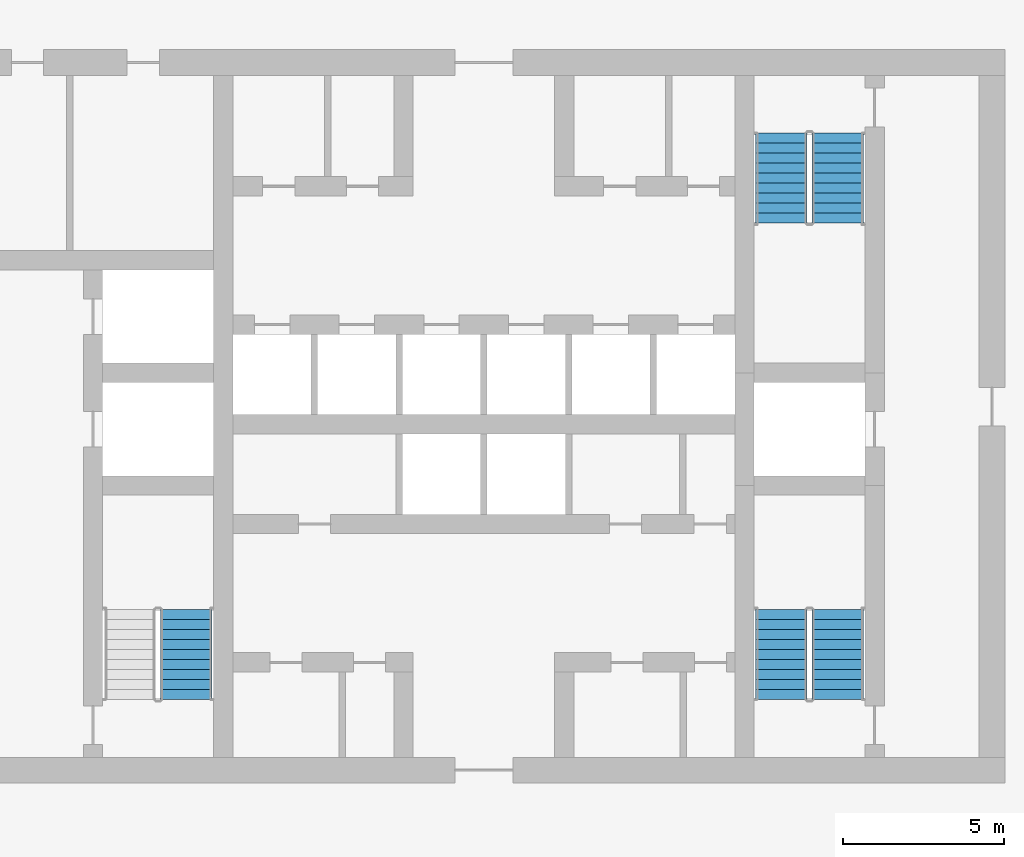
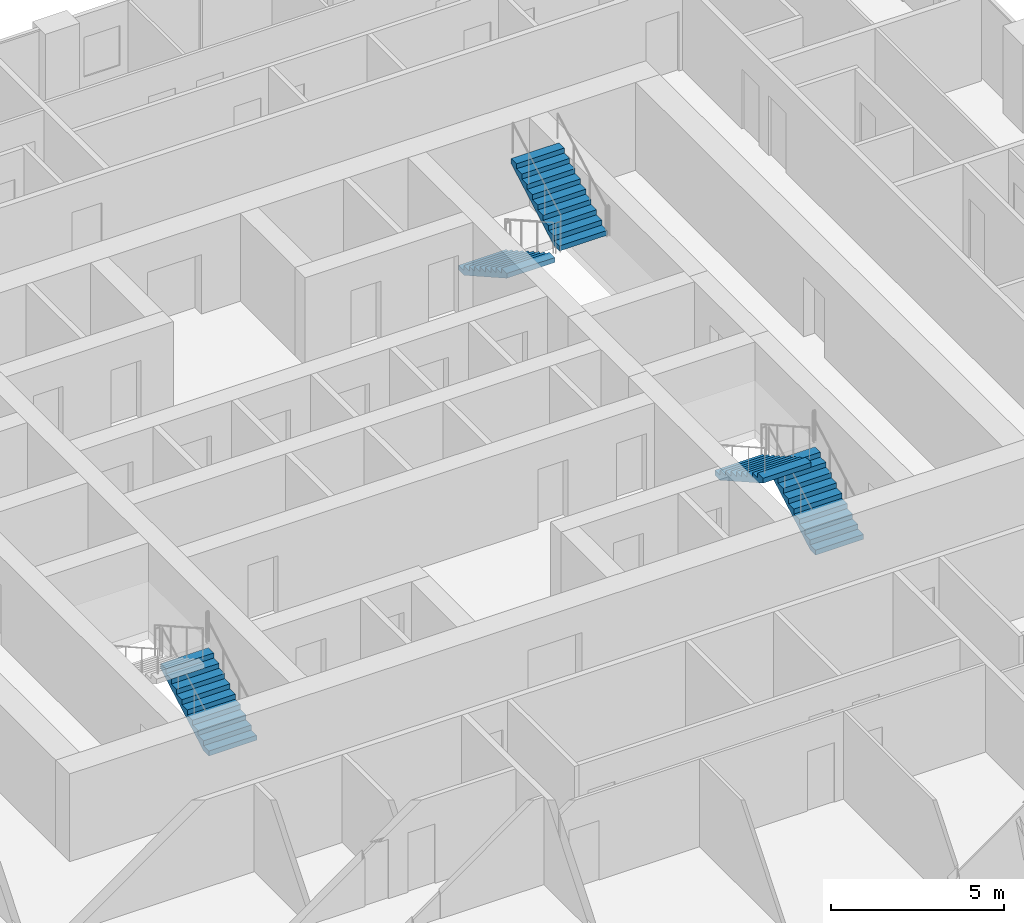
# One storey, part 16 of 22: 5 stair flights, 3 elements without a shape of their own.
"""IFC4 building model written with IfcOpenShell, lengths in metres."""

import ifcopenshell
import ifcopenshell.guid

model = None  # the IFC model being written
_history = None  # IfcOwnerHistory: only IFC2X3 demands one
_inside = {}  # id of a spatial element -> (the spatial element, [elements in it])
_under = {}  # id of a project, library or spatial element -> (it, [spatial elements below it])
_declared = {}  # id of a project -> (the project, [libraries it declares])
_typed = {}  # id of a type object -> (the type object, [elements of that type])
_made_of = {}  # id of a material, layer set ... -> (it, [elements and type objects made of it])


def new_model(schema):
    """Start an empty IFC model of exactly this schema.

    Asked for "IFC4X3", IfcOpenShell would pick the latest addendum, in which some entities
    have other attributes; the version numbers below select the first issue.
    IFC2X3 requires an IfcOwnerHistory on every rooted entity: one is made here for all.
    """
    global model, _history
    if schema == "IFC4X3":
        model = ifcopenshell.file(schema_version=(4, 3, 0, 0))
    else:
        model = ifcopenshell.file(schema=schema)
    _inside.clear()
    _under.clear()
    _declared.clear()
    _typed.clear()
    _made_of.clear()
    _history = None
    if model.schema == "IFC2X3":
        org = make("IfcOrganization", Name="unknown")
        user = make(
            "IfcPersonAndOrganization",
            ThePerson=make("IfcPerson", FamilyName="unknown"),
            TheOrganization=org,
        )
        app = make(
            "IfcApplication",
            ApplicationDeveloper=org,
            Version="unknown",
            ApplicationFullName="unknown",
            ApplicationIdentifier="unknown",
        )
        _history = make(
            "IfcOwnerHistory",
            OwningUser=user,
            OwningApplication=app,
            ChangeAction="ADDED",
            CreationDate=0,
        )
    return model


def make(cls, **values):
    """One entity of the class cls with the attributes given. An attribute that is None is left unset."""
    return model.create_entity(
        cls, **{name: value for name, value in values.items() if value is not None}
    )


def rooted(cls, **values):
    """An entity with a GlobalId (a new one), such as an element, a storey or a relation."""
    return make(cls, GlobalId=ifcopenshell.guid.new(), OwnerHistory=_history, **values)


def si_unit(unit_type, name, prefix=None):
    """IfcSIUnit, for example si_unit("LENGTHUNIT", "METRE", prefix="MILLI")."""
    return make("IfcSIUnit", UnitType=unit_type, Prefix=prefix, Name=name)


def assignment(units):
    """IfcUnitAssignment: the units of a project."""
    return None if units is None else make("IfcUnitAssignment", Units=units)


def point(xyz):
    """IfcCartesianPoint."""
    return None if xyz is None else make("IfcCartesianPoint", Coordinates=xyz)


def direction(xyz):
    """IfcDirection."""
    return None if xyz is None else make("IfcDirection", DirectionRatios=xyz)


def frame(location, z_axis=None, x_axis=None):
    """IfcAxis2Placement3D, a coordinate frame: its origin and axes. An axis left out is left unset."""
    return make(
        "IfcAxis2Placement3D",
        Location=point(location),
        Axis=direction(z_axis),
        RefDirection=direction(x_axis),
    )


def origin():
    """The frame at (0, 0, 0) with its axes left unset."""
    return frame((0.0, 0.0, 0.0))


def place(relative_to, where):
    """IfcLocalPlacement: puts the frame where relative to a parent placement (None: the world)."""
    return make(
        "IfcLocalPlacement", PlacementRelTo=relative_to, RelativePlacement=where
    )


def context(
    kind, dimensions, precision=None, world=None, true_north=None, identifier=None
):
    """IfcGeometricRepresentationContext, for example the 3D "Model" context."""
    return make(
        "IfcGeometricRepresentationContext",
        ContextIdentifier=identifier,
        ContextType=kind,
        CoordinateSpaceDimension=dimensions,
        Precision=precision,
        WorldCoordinateSystem=world,
        TrueNorth=true_north,
    )


def subcontext(parent, identifier, kind, view, scale=None):
    """IfcGeometricRepresentationSubContext, for example "Body" below "Model"."""
    return make(
        "IfcGeometricRepresentationSubContext",
        ContextIdentifier=identifier,
        ContextType=kind,
        ParentContext=parent,
        TargetScale=scale,
        TargetView=view,
    )


def project(units=None, contexts=None):
    """IfcProject with its units and contexts."""
    return rooted(
        "IfcProject",
        Name="project",
        RepresentationContexts=contexts,
        UnitsInContext=assignment(units),
    )


def spatial(cls, under=None, at=None, **own):
    """A site, building, storey or space (cls), placed at a placement, below another one or the project."""
    s = rooted(cls, ObjectPlacement=at, **own)
    if under is not None:
        _under.setdefault(under.id(), (under, []))[1].append(s)
    return s


def polyline(points):
    """IfcPolyline through the points."""
    return make("IfcPolyline", Points=[point(p) for p in points])


def outline(outer, holes=None, kind="AREA"):
    """IfcArbitraryClosedProfileDef: a profile drawn as a closed curve; with holes, ...WithVoids."""
    if holes is None:
        return make("IfcArbitraryClosedProfileDef", ProfileType=kind, OuterCurve=outer)
    return make(
        "IfcArbitraryProfileDefWithVoids",
        ProfileType=kind,
        OuterCurve=outer,
        InnerCurves=holes,
    )


def extrude(swept, where, along, depth):
    """IfcExtrudedAreaSolid: the profile swept, set in the frame where, extruded along a direction by depth."""
    return make(
        "IfcExtrudedAreaSolid",
        SweptArea=swept,
        Position=where,
        ExtrudedDirection=direction(along),
        Depth=depth,
    )


def shape(context_of_items, identifier, shape_type, items):
    """IfcShapeRepresentation: the items that make up one representation, for example the "Body"."""
    return make(
        "IfcShapeRepresentation",
        ContextOfItems=context_of_items,
        RepresentationIdentifier=identifier,
        RepresentationType=shape_type,
        Items=items,
    )


def material(Name=None, Category=None):
    """IfcMaterial."""
    return make("IfcMaterial", Name=Name, Category=Category)


def made_of(thing, what):
    """Note that an element or type object is made of a material, layer set ...; save() writes the relation."""
    if what is not None:
        _made_of.setdefault(what.id(), (what, []))[1].append(thing)
    return thing


def type_object(cls, material=None, **own):
    """A type object (cls), such as IfcWallType, which elements share."""
    return made_of(rooted(cls, **own), material)


def element(
    cls,
    number,
    at=None,
    inside=None,
    cuts=None,
    type_object=None,
    material=None,
    context=None,
    identifier="Body",
    shape_type=None,
    held_by="IfcProductDefinitionShape",
    body=None,
    shapes=None,
    **own,
):
    """One element of the class cls, such as IfcWall. Its Tag is "e" and its number.

    at: its placement. inside: the storey or other place that contains it. cuts: it is an
    opening in that element (IfcRelVoidsElement). A single representation is given by context,
    identifier, shape_type and body (its items); several are given by shapes. held_by: the class
    of the entity that holds the representations. save() writes the other relations.
    """
    e = rooted(cls, Tag="e%d" % number, ObjectPlacement=at, **own)
    if body is not None:
        shapes = [shape(context, identifier, shape_type, body)]
    if shapes is not None:
        e.Representation = make(held_by, Representations=shapes)
    if inside is not None:
        _inside.setdefault(inside.id(), (inside, []))[1].append(e)
    if cuts is not None:
        rooted(
            "IfcRelVoidsElement", RelatingBuildingElement=cuts, RelatedOpeningElement=e
        )
    if type_object is not None:
        _typed.setdefault(type_object.id(), (type_object, []))[1].append(e)
    return made_of(e, material)


def aggregate(whole, parts):
    """IfcRelAggregates: a whole, such as a stair, and the parts it consists of."""
    return rooted("IfcRelAggregates", RelatingObject=whole, RelatedObjects=parts)


def save(model, path):
    """Write the relations noted so far, then the file.

    IfcRelAggregates (storeys below a building ...), IfcRelContainedInSpatialStructure (elements
    in a storey), IfcRelDefinesByType, IfcRelAssociatesMaterial and IfcRelDeclares: one each for
    every whole, place, type object, material and project.
    """
    for whole, parts in _under.values():
        aggregate(whole, parts)
    for where, things in _inside.values():
        rooted(
            "IfcRelContainedInSpatialStructure",
            RelatedElements=things,
            RelatingStructure=where,
        )
    for kind, things in _typed.values():
        rooted("IfcRelDefinesByType", RelatedObjects=things, RelatingType=kind)
    for what, things in _made_of.values():
        rooted("IfcRelAssociatesMaterial", RelatedObjects=things, RelatingMaterial=what)
    for by, libraries in _declared.values():
        rooted("IfcRelDeclares", RelatingContext=by, RelatedDefinitions=libraries)
    model.write(path)


model = new_model("IFC4")

# Units and contexts
model_context = context("Model", 3, precision=1e-05, world=origin(), true_north=direction((0.0, 1.0)))
body_context = subcontext(model_context, "Body", "Model", "MODEL_VIEW")
ifc_project = project(units=[si_unit("LENGTHUNIT", "METRE"), si_unit("AREAUNIT", "SQUARE_METRE"), si_unit("VOLUMEUNIT", "CUBIC_METRE"), si_unit("PLANEANGLEUNIT", "RADIAN"), si_unit("MASSUNIT", "GRAM", prefix="KILO")], contexts=[model_context])

# Site, building, storey
site_placement = place(None, origin())
site = spatial("IfcSite", under=ifc_project, at=site_placement, CompositionType="ELEMENT")
building_placement = place(site_placement, origin())
building = spatial("IfcBuilding", under=site, at=building_placement, Name="Madar Terraces", CompositionType="ELEMENT")
storey_placement = place(building_placement, frame((0.0, 0.0, 170.0)))
storey = spatial("IfcBuildingStorey", under=building, at=storey_placement, Name="L44", CompositionType="ELEMENT", Elevation=170.0)

# Stair, stair flight
ifc_material_1 = material(Name="Concrete C50/60", Category="concrete")
stair_type_1 = type_object("IfcStairType", Name="Stair ST1 protected exit", PredefinedType="HALF_TURN_STAIR", material=ifc_material_1)
stair_1_placement = place(storey_placement, origin())
stair_1 = element("IfcStair", 1, at=stair_1_placement, inside=storey, type_object=stair_type_1, Name="L44 Protected Exit Stair ST1", PredefinedType="HALF_TURN_STAIR")
ifc_material_2 = material(Name="Concrete C50/60", Category="concrete")
stair_flight_type_1 = type_object("IfcStairFlightType", Name="Stair flight ST1-F4, 1600 wide, 10 risers", PredefinedType="STRAIGHT", material=ifc_material_2)
stair_flight_1_placement = place(storey_placement, frame((21.949951171875, 17.60009765625, 0.0), z_axis=(0.0, 0.0, 1.0), x_axis=(0.0, 1.0, 0.0)))
stair_flight_1 = element("IfcStairFlight", 2, at=stair_flight_1_placement, type_object=stair_flight_type_1, Name="ST1 flight 1", NumberOfRisers=10, NumberOfTreads=9, PredefinedType="STRAIGHT", RiserHeight=0.175, TreadLength=0.31, context=body_context, shape_type="SweptSolid", body=[
    extrude(outline(polyline([(0.0, 0.0), (0.0, 0.175048828125), (0.31005859375, 0.175048828125), (0.31005859375, 0.35009765625), (0.6201171875, 0.35009765625), (0.6201171875, 0.52490234375), (0.929931640625, 0.52490234375), (0.929931640625, 0.699951171875), (1.239990234375, 0.699951171875), (1.239990234375, 0.875), (1.550048828125, 0.875), (1.550048828125, 1.050048828125), (1.860107421875, 1.050048828125), (1.860107421875, 1.22509765625), (2.169921875, 1.22509765625), (2.169921875, 1.39990234375), (2.47998046875, 1.39990234375), (2.47998046875, 1.574951171875), (2.7900390625, 1.574951171875), (2.7900390625, 1.75), (2.7900390625, 1.40283203125), (0.304931640625, 0.0), (0.0, 0.0)])), frame((0.0, 0.800048828125, 0.0), z_axis=(0.0, -1.0, 0.0), x_axis=(1.0, 0.0, 0.0)), (0.0, 0.0, 1.0), 1.60009765625),
])
aggregate(stair_1, [stair_flight_1])

# Stair, stair flights
ifc_material_3 = material(Name="Concrete C50/60", Category="concrete")
stair_type_2 = type_object("IfcStairType", Name="Stair ST2 protected exit", PredefinedType="HALF_TURN_STAIR", material=ifc_material_3)
stair_2_placement = place(storey_placement, origin())
stair_2 = element("IfcStair", 3, at=stair_2_placement, inside=storey, type_object=stair_type_2, Name="L44 Protected Exit Stair ST2", PredefinedType="HALF_TURN_STAIR")
ifc_material_4 = material(Name="Concrete C50/60", Category="concrete")
stair_flight_type_2 = type_object("IfcStairFlightType", Name="Stair flight ST2-F4, 1600 wide, 10 risers", PredefinedType="STRAIGHT", material=ifc_material_4)
stair_flight_2_placement = place(storey_placement, frame((40.449951171875, 35.199951171875, 0.0), z_axis=(0.0, 0.0, 1.0), x_axis=(0.0, -1.0, 0.0)))
stair_flight_2 = element("IfcStairFlight", 4, at=stair_flight_2_placement, type_object=stair_flight_type_2, Name="ST2 flight 1", NumberOfRisers=10, NumberOfTreads=9, PredefinedType="STRAIGHT", RiserHeight=0.175, TreadLength=0.31, context=body_context, shape_type="SweptSolid", body=[
    extrude(outline(polyline([(0.0, 0.0), (0.0, 0.175048828125), (0.31005859375, 0.175048828125), (0.31005859375, 0.35009765625), (0.6201171875, 0.35009765625), (0.6201171875, 0.52490234375), (0.929931640625, 0.52490234375), (0.929931640625, 0.699951171875), (1.239990234375, 0.699951171875), (1.239990234375, 0.875), (1.550048828125, 0.875), (1.550048828125, 1.050048828125), (1.860107421875, 1.050048828125), (1.860107421875, 1.22509765625), (2.169921875, 1.22509765625), (2.169921875, 1.39990234375), (2.47998046875, 1.39990234375), (2.47998046875, 1.574951171875), (2.7900390625, 1.574951171875), (2.7900390625, 1.75), (2.7900390625, 1.40283203125), (0.304931640625, 0.0), (0.0, 0.0)])), frame((0.0, 0.800048828125, 0.0), z_axis=(0.0, -1.0, 0.0), x_axis=(1.0, 0.0, 0.0)), (0.0, 0.0, 1.0), 1.60009765625),
])
stair_flight_3_placement = place(storey_placement, frame((42.199951171875, 32.409912109375, 1.75), z_axis=(0.0, 0.0, 1.0), x_axis=(0.0, 1.0, 0.0)))
stair_flight_3 = element("IfcStairFlight", 5, at=stair_flight_3_placement, type_object=stair_flight_type_2, Name="ST2 flight 2", NumberOfRisers=10, NumberOfTreads=9, PredefinedType="STRAIGHT", RiserHeight=0.175, TreadLength=0.31, context=body_context, shape_type="SweptSolid", body=[
    extrude(outline(polyline([(0.0, 0.0), (0.0, 0.175048828125), (0.31005859375, 0.175048828125), (0.31005859375, 0.35009765625), (0.6201171875, 0.35009765625), (0.6201171875, 0.52490234375), (0.929931640625, 0.52490234375), (0.929931640625, 0.699951171875), (1.239990234375, 0.699951171875), (1.239990234375, 0.875), (1.550048828125, 0.875), (1.550048828125, 1.050048828125), (1.860107421875, 1.050048828125), (1.860107421875, 1.22509765625), (2.169921875, 1.22509765625), (2.169921875, 1.39990234375), (2.47998046875, 1.39990234375), (2.47998046875, 1.574951171875), (2.7900390625, 1.574951171875), (2.7900390625, 1.75), (2.7900390625, 1.40283203125), (0.304931640625, 0.0), (0.0, 0.0)])), frame((0.0, 0.800048828125, 0.0), z_axis=(0.0, -1.0, 0.0), x_axis=(1.0, 0.0, 0.0)), (0.0, 0.0, 1.0), 1.60009765625),
])
aggregate(stair_2, [stair_flight_2, stair_flight_3])

ifc_material_5 = material(Name="Concrete C50/60", Category="concrete")
stair_type_3 = type_object("IfcStairType", Name="Stair ST3 protected exit", PredefinedType="HALF_TURN_STAIR", material=ifc_material_5)
stair_3_placement = place(storey_placement, origin())
stair_3 = element("IfcStair", 6, at=stair_3_placement, inside=storey, type_object=stair_type_3, Name="L44 Protected Exit Stair ST3", PredefinedType="HALF_TURN_STAIR")
ifc_material_6 = material(Name="Concrete C50/60", Category="concrete")
stair_flight_type_3 = type_object("IfcStairFlightType", Name="Stair flight ST3-F4, 1600 wide, 10 risers", PredefinedType="STRAIGHT", material=ifc_material_6)
stair_flight_4_placement = place(storey_placement, frame((42.199951171875, 17.60009765625, 0.0), z_axis=(0.0, 0.0, 1.0), x_axis=(0.0, 1.0, 0.0)))
stair_flight_4 = element("IfcStairFlight", 7, at=stair_flight_4_placement, type_object=stair_flight_type_3, Name="ST3 flight 1", NumberOfRisers=10, NumberOfTreads=9, PredefinedType="STRAIGHT", RiserHeight=0.175, TreadLength=0.31, context=body_context, shape_type="SweptSolid", body=[
    extrude(outline(polyline([(0.0, 0.0), (0.0, 0.175048828125), (0.31005859375, 0.175048828125), (0.31005859375, 0.35009765625), (0.6201171875, 0.35009765625), (0.6201171875, 0.52490234375), (0.929931640625, 0.52490234375), (0.929931640625, 0.699951171875), (1.239990234375, 0.699951171875), (1.239990234375, 0.875), (1.550048828125, 0.875), (1.550048828125, 1.050048828125), (1.860107421875, 1.050048828125), (1.860107421875, 1.22509765625), (2.169921875, 1.22509765625), (2.169921875, 1.39990234375), (2.47998046875, 1.39990234375), (2.47998046875, 1.574951171875), (2.7900390625, 1.574951171875), (2.7900390625, 1.75), (2.7900390625, 1.40283203125), (0.304931640625, 0.0), (0.0, 0.0)])), frame((0.0, 0.800048828125, 0.0), z_axis=(0.0, -1.0, 0.0), x_axis=(1.0, 0.0, 0.0)), (0.0, 0.0, 1.0), 1.60009765625),
])
stair_flight_5_placement = place(storey_placement, frame((40.449951171875, 20.389892578125, 1.75), z_axis=(0.0, 0.0, 1.0), x_axis=(0.0, -1.0, 0.0)))
stair_flight_5 = element("IfcStairFlight", 8, at=stair_flight_5_placement, type_object=stair_flight_type_3, Name="ST3 flight 2", NumberOfRisers=10, NumberOfTreads=9, PredefinedType="STRAIGHT", RiserHeight=0.175, TreadLength=0.31, context=body_context, shape_type="SweptSolid", body=[
    extrude(outline(polyline([(0.0, 0.0), (0.0, 0.175048828125), (0.31005859375, 0.175048828125), (0.31005859375, 0.35009765625), (0.6201171875, 0.35009765625), (0.6201171875, 0.52490234375), (0.929931640625, 0.52490234375), (0.929931640625, 0.699951171875), (1.239990234375, 0.699951171875), (1.239990234375, 0.875), (1.550048828125, 0.875), (1.550048828125, 1.050048828125), (1.860107421875, 1.050048828125), (1.860107421875, 1.22509765625), (2.169921875, 1.22509765625), (2.169921875, 1.39990234375), (2.47998046875, 1.39990234375), (2.47998046875, 1.574951171875), (2.7900390625, 1.574951171875), (2.7900390625, 1.75), (2.7900390625, 1.40283203125), (0.304931640625, 0.0), (0.0, 0.0)])), frame((0.0, 0.800048828125, 0.0), z_axis=(0.0, -1.0, 0.0), x_axis=(1.0, 0.0, 0.0)), (0.0, 0.0, 1.0), 1.60009765625),
])
aggregate(stair_3, [stair_flight_4, stair_flight_5])

save(model, "model.ifc")
